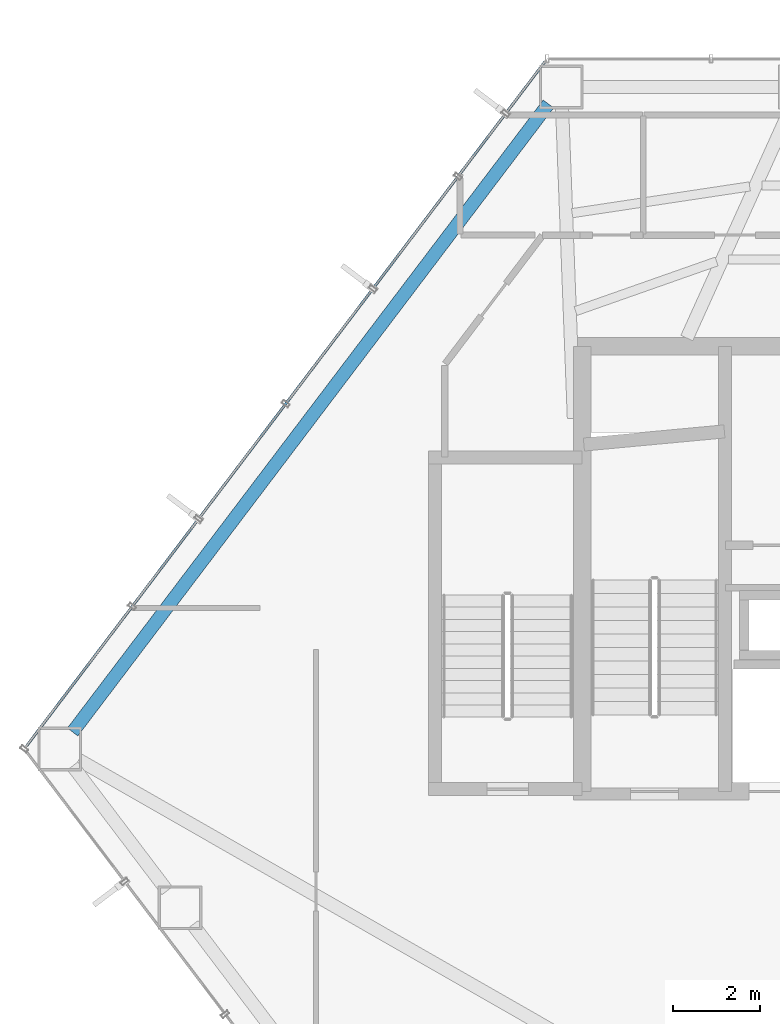
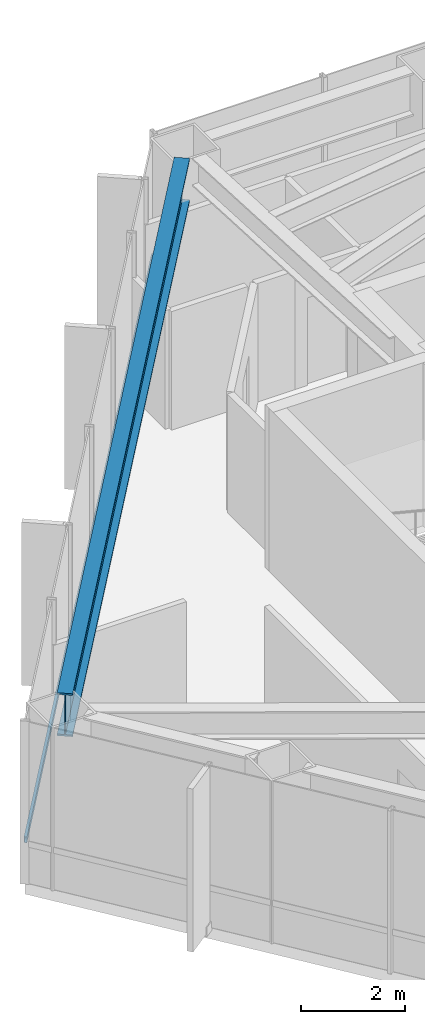
# One storey, part 11 of 25: 1 beam, 1 member, 1 element without a shape of its own.
"""IFC4 building model written with IfcOpenShell, lengths in metres."""

from ifc_helpers import new_model, si_unit, direction, frame, origin, origin_2d, place, context, subcontext, project, spatial, hollow_rectangle, i_section, extrude, material, layer, layer_set, material_profile, profile_set, type_object, element, aggregate, save


model = new_model("IFC4")

# Units and contexts
model_context = context("Model", 3, precision=1e-05, world=origin(), true_north=direction((0.0, 1.0)))
body_context = subcontext(model_context, "Body", "Model", "MODEL_VIEW")
ifc_project = project(units=[si_unit("LENGTHUNIT", "METRE"), si_unit("AREAUNIT", "SQUARE_METRE"), si_unit("VOLUMEUNIT", "CUBIC_METRE"), si_unit("PLANEANGLEUNIT", "RADIAN"), si_unit("MASSUNIT", "GRAM", prefix="KILO")], contexts=[model_context])

# Site, building, storey
site_placement = place(None, origin())
site = spatial("IfcSite", under=ifc_project, at=site_placement, CompositionType="ELEMENT")
building_placement = place(site_placement, origin())
building = spatial("IfcBuilding", under=site, at=building_placement, Name="Zarrinselat Tower", CompositionType="ELEMENT")
storey_placement = place(building_placement, frame((0.0, 0.0, 43.860107421875)))
storey = spatial("IfcBuildingStorey", under=building, at=storey_placement, Name="L10", CompositionType="ELEMENT", Elevation=43.860107421875)

# Beam
ifc_material_1 = material(Name="Steel S460M", Category="steel")
ifc_material_profile_1 = material_profile(ifc_material_1, i_section(OverallWidth=0.302001953125, OverallDepth=1.008056640625, WebThickness=0.02099609375, FlangeThickness=0.0400390625, at=origin_2d()), Name="HEM 1000")
ifc_profile_set_1 = profile_set([ifc_material_profile_1], Name="Steel S460M")
beam_type = type_object("IfcBeamType", Name="BM-HEM1000", PredefinedType="BEAM", material=ifc_profile_set_1)
beam_placement = place(storey_placement, frame((16.921875, 34.610107421875, 3.31591796875), z_axis=(0.603858208545, 0.797091753798, 0.0), x_axis=(-0.797091753798, 0.603858208545, 0.0)))
element("IfcBeam", 1, at=beam_placement, inside=storey, type_object=beam_type, Name="L10 Perimeter Spandrel Girder SP05", PredefinedType="BEAM", context=body_context, shape_type="SweptSolid", body=[
    extrude(i_section(OverallWidth=0.302001953125, OverallDepth=1.008056640625, WebThickness=0.02099609375, FlangeThickness=0.0400390625, at=origin_2d()), origin(), (0.0, 0.0, 1.0), 18.059814453125),
])

# Curtain wall, member
ifc_material_2 = material(Name="Extruded Aluminium Alloy EN AW-6063 T6", Category="aluminium")
ifc_layer = layer(ifc_material_2, 0.18505859375)
ifc_layer_set = layer_set([ifc_layer], Name="Extruded Aluminium Alloy EN AW-6063 T6")
curtain_wall_type = type_object("IfcCurtainWallType", Name="CWS-OFF", PredefinedType="NOTDEFINED", material=ifc_layer_set)
curtain_wall_placement = place(storey_placement, origin())
curtain_wall = element("IfcCurtainWall", 2, at=curtain_wall_placement, inside=storey, type_object=curtain_wall_type, Name="L10 Unitised Curtain Wall CW-L10-E02", PredefinedType="NOTDEFINED")
ifc_material_3 = material(Name="Extruded Aluminium Alloy EN AW-6063 T6", Category="aluminium")
ifc_material_profile_2 = material_profile(ifc_material_3, hollow_rectangle(XDim=0.06005859375, YDim=0.139892578125, WallThickness=0.00390625, at=origin_2d()), Name="RHS 140x60x4")
ifc_profile_set_2 = profile_set([ifc_material_profile_2], Name="Extruded Aluminium Alloy EN AW-6063 T6")
member_type = type_object("IfcMemberType", Name="MEM-CW-TRN", PredefinedType="USERDEFINED", material=ifc_profile_set_2)
member_placement = place(storey_placement, frame((27.744873046875, 49.97265625, 0.949951171875), z_axis=(-0.603863183809, -0.797087984629, 0.0), x_axis=(0.797087984629, -0.603863183809, 0.0)))
member = element("IfcMember", 3, at=member_placement, type_object=member_type, Name="CW-L10-E02 Transom 1", ObjectType="TRANSOM", PredefinedType="USERDEFINED", context=body_context, shape_type="SweptSolid", body=[
    extrude(hollow_rectangle(XDim=0.06005859375, YDim=0.139892578125, WallThickness=0.00390625, at=origin_2d()), origin(), (0.0, 0.0, 1.0), 19.671630859375),
])
aggregate(curtain_wall, [member])

save(model, "model.ifc")
